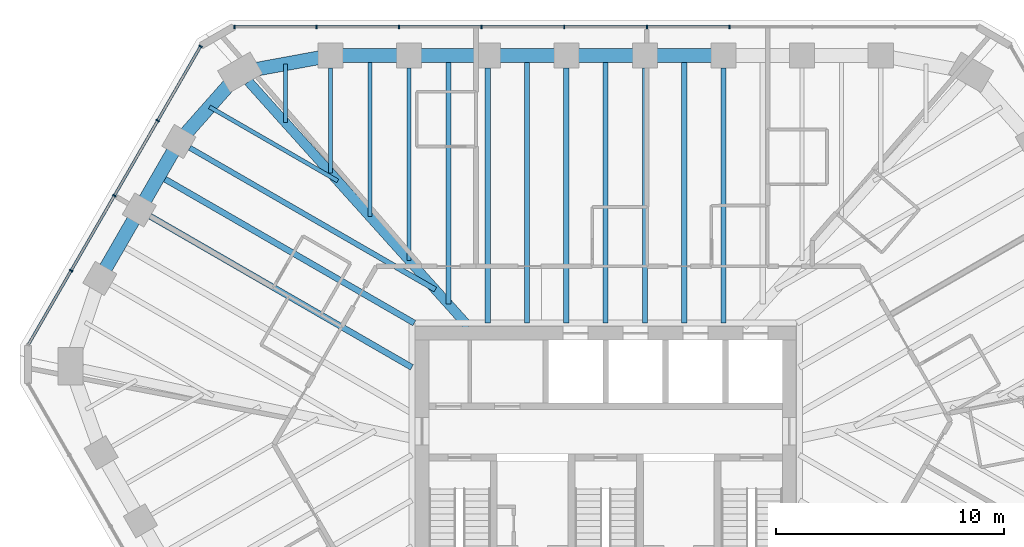
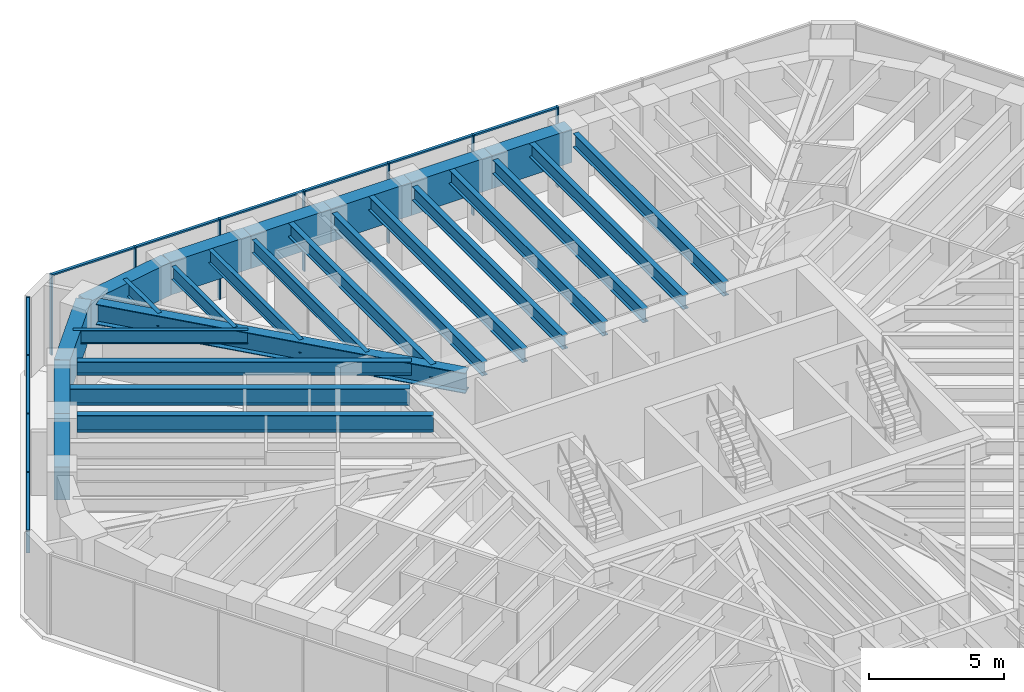
# One storey, part 6 of 14: 26 beams, 21 members, 2 elements without a shape of their own.
"""IFC4 building model written with IfcOpenShell, lengths in metres."""

import ifcopenshell
import ifcopenshell.guid

model = None  # the IFC model being written
_history = None  # IfcOwnerHistory: only IFC2X3 demands one
_inside = {}  # id of a spatial element -> (the spatial element, [elements in it])
_under = {}  # id of a project, library or spatial element -> (it, [spatial elements below it])
_declared = {}  # id of a project -> (the project, [libraries it declares])
_typed = {}  # id of a type object -> (the type object, [elements of that type])
_made_of = {}  # id of a material, layer set ... -> (it, [elements and type objects made of it])


def new_model(schema):
    """Start an empty IFC model of exactly this schema.

    Asked for "IFC4X3", IfcOpenShell would pick the latest addendum, in which some entities
    have other attributes; the version numbers below select the first issue.
    IFC2X3 requires an IfcOwnerHistory on every rooted entity: one is made here for all.
    """
    global model, _history
    if schema == "IFC4X3":
        model = ifcopenshell.file(schema_version=(4, 3, 0, 0))
    else:
        model = ifcopenshell.file(schema=schema)
    _inside.clear()
    _under.clear()
    _declared.clear()
    _typed.clear()
    _made_of.clear()
    _history = None
    if model.schema == "IFC2X3":
        org = make("IfcOrganization", Name="unknown")
        user = make(
            "IfcPersonAndOrganization",
            ThePerson=make("IfcPerson", FamilyName="unknown"),
            TheOrganization=org,
        )
        app = make(
            "IfcApplication",
            ApplicationDeveloper=org,
            Version="unknown",
            ApplicationFullName="unknown",
            ApplicationIdentifier="unknown",
        )
        _history = make(
            "IfcOwnerHistory",
            OwningUser=user,
            OwningApplication=app,
            ChangeAction="ADDED",
            CreationDate=0,
        )
    return model


def make(cls, **values):
    """One entity of the class cls with the attributes given. An attribute that is None is left unset."""
    return model.create_entity(
        cls, **{name: value for name, value in values.items() if value is not None}
    )


def rooted(cls, **values):
    """An entity with a GlobalId (a new one), such as an element, a storey or a relation."""
    return make(cls, GlobalId=ifcopenshell.guid.new(), OwnerHistory=_history, **values)


def si_unit(unit_type, name, prefix=None):
    """IfcSIUnit, for example si_unit("LENGTHUNIT", "METRE", prefix="MILLI")."""
    return make("IfcSIUnit", UnitType=unit_type, Prefix=prefix, Name=name)


def assignment(units):
    """IfcUnitAssignment: the units of a project."""
    return None if units is None else make("IfcUnitAssignment", Units=units)


def point(xyz):
    """IfcCartesianPoint."""
    return None if xyz is None else make("IfcCartesianPoint", Coordinates=xyz)


def direction(xyz):
    """IfcDirection."""
    return None if xyz is None else make("IfcDirection", DirectionRatios=xyz)


def frame(location, z_axis=None, x_axis=None):
    """IfcAxis2Placement3D, a coordinate frame: its origin and axes. An axis left out is left unset."""
    return make(
        "IfcAxis2Placement3D",
        Location=point(location),
        Axis=direction(z_axis),
        RefDirection=direction(x_axis),
    )


def frame_2d(location, x_axis=None):
    """IfcAxis2Placement2D, a coordinate frame in the plane: its origin and x axis."""
    return make(
        "IfcAxis2Placement2D", Location=point(location), RefDirection=direction(x_axis)
    )


def origin():
    """The frame at (0, 0, 0) with its axes left unset."""
    return frame((0.0, 0.0, 0.0))


def origin_2d():
    """The frame at (0, 0) in the plane with its x axis left unset."""
    return frame_2d((0.0, 0.0))


def place(relative_to, where):
    """IfcLocalPlacement: puts the frame where relative to a parent placement (None: the world)."""
    return make(
        "IfcLocalPlacement", PlacementRelTo=relative_to, RelativePlacement=where
    )


def context(
    kind, dimensions, precision=None, world=None, true_north=None, identifier=None
):
    """IfcGeometricRepresentationContext, for example the 3D "Model" context."""
    return make(
        "IfcGeometricRepresentationContext",
        ContextIdentifier=identifier,
        ContextType=kind,
        CoordinateSpaceDimension=dimensions,
        Precision=precision,
        WorldCoordinateSystem=world,
        TrueNorth=true_north,
    )


def subcontext(parent, identifier, kind, view, scale=None):
    """IfcGeometricRepresentationSubContext, for example "Body" below "Model"."""
    return make(
        "IfcGeometricRepresentationSubContext",
        ContextIdentifier=identifier,
        ContextType=kind,
        ParentContext=parent,
        TargetScale=scale,
        TargetView=view,
    )


def project(units=None, contexts=None):
    """IfcProject with its units and contexts."""
    return rooted(
        "IfcProject",
        Name="project",
        RepresentationContexts=contexts,
        UnitsInContext=assignment(units),
    )


def spatial(cls, under=None, at=None, **own):
    """A site, building, storey or space (cls), placed at a placement, below another one or the project."""
    s = rooted(cls, ObjectPlacement=at, **own)
    if under is not None:
        _under.setdefault(under.id(), (under, []))[1].append(s)
    return s


def profile(cls, at=None, kind="AREA", **sizes):
    """A parametric profile (cls). Its sizes go by their IFC names, for example OverallWidth=200.0."""
    return make(cls, ProfileType=kind, Position=at, **sizes)


def rectangle(**sizes):
    """IfcRectangleProfileDef."""
    return profile("IfcRectangleProfileDef", **sizes)


def i_section(**sizes):
    """IfcIShapeProfileDef."""
    return profile("IfcIShapeProfileDef", **sizes)


def extrude(swept, where, along, depth):
    """IfcExtrudedAreaSolid: the profile swept, set in the frame where, extruded along a direction by depth."""
    return make(
        "IfcExtrudedAreaSolid",
        SweptArea=swept,
        Position=where,
        ExtrudedDirection=direction(along),
        Depth=depth,
    )


def shape(context_of_items, identifier, shape_type, items):
    """IfcShapeRepresentation: the items that make up one representation, for example the "Body"."""
    return make(
        "IfcShapeRepresentation",
        ContextOfItems=context_of_items,
        RepresentationIdentifier=identifier,
        RepresentationType=shape_type,
        Items=items,
    )


def material(Name=None, Category=None):
    """IfcMaterial."""
    return make("IfcMaterial", Name=Name, Category=Category)


def material_profile(
    of_material, cross_section, Name=None, Category=None, Priority=None
):
    """IfcMaterialProfile: a cross section and its material."""
    return make(
        "IfcMaterialProfile",
        Name=Name,
        Material=of_material,
        Profile=cross_section,
        Priority=Priority,
        Category=Category,
    )


def profile_set(profiles, Name=None, composite=None):
    """IfcMaterialProfileSet."""
    return make(
        "IfcMaterialProfileSet",
        Name=Name,
        MaterialProfiles=profiles,
        CompositeProfile=composite,
    )


def made_of(thing, what):
    """Note that an element or type object is made of a material, layer set ...; save() writes the relation."""
    if what is not None:
        _made_of.setdefault(what.id(), (what, []))[1].append(thing)
    return thing


def type_object(cls, material=None, **own):
    """A type object (cls), such as IfcWallType, which elements share."""
    return made_of(rooted(cls, **own), material)


def element(
    cls,
    number,
    at=None,
    inside=None,
    cuts=None,
    type_object=None,
    material=None,
    context=None,
    identifier="Body",
    shape_type=None,
    held_by="IfcProductDefinitionShape",
    body=None,
    shapes=None,
    **own,
):
    """One element of the class cls, such as IfcWall. Its Tag is "e" and its number.

    at: its placement. inside: the storey or other place that contains it. cuts: it is an
    opening in that element (IfcRelVoidsElement). A single representation is given by context,
    identifier, shape_type and body (its items); several are given by shapes. held_by: the class
    of the entity that holds the representations. save() writes the other relations.
    """
    e = rooted(cls, Tag="e%d" % number, ObjectPlacement=at, **own)
    if body is not None:
        shapes = [shape(context, identifier, shape_type, body)]
    if shapes is not None:
        e.Representation = make(held_by, Representations=shapes)
    if inside is not None:
        _inside.setdefault(inside.id(), (inside, []))[1].append(e)
    if cuts is not None:
        rooted(
            "IfcRelVoidsElement", RelatingBuildingElement=cuts, RelatedOpeningElement=e
        )
    if type_object is not None:
        _typed.setdefault(type_object.id(), (type_object, []))[1].append(e)
    return made_of(e, material)


def aggregate(whole, parts):
    """IfcRelAggregates: a whole, such as a stair, and the parts it consists of."""
    return rooted("IfcRelAggregates", RelatingObject=whole, RelatedObjects=parts)


def save(model, path):
    """Write the relations noted so far, then the file.

    IfcRelAggregates (storeys below a building ...), IfcRelContainedInSpatialStructure (elements
    in a storey), IfcRelDefinesByType, IfcRelAssociatesMaterial and IfcRelDeclares: one each for
    every whole, place, type object, material and project.
    """
    for whole, parts in _under.values():
        aggregate(whole, parts)
    for where, things in _inside.values():
        rooted(
            "IfcRelContainedInSpatialStructure",
            RelatedElements=things,
            RelatingStructure=where,
        )
    for kind, things in _typed.values():
        rooted("IfcRelDefinesByType", RelatedObjects=things, RelatingType=kind)
    for what, things in _made_of.values():
        rooted("IfcRelAssociatesMaterial", RelatedObjects=things, RelatingMaterial=what)
    for by, libraries in _declared.values():
        rooted("IfcRelDeclares", RelatingContext=by, RelatedDefinitions=libraries)
    model.write(path)


model = new_model("IFC4")

# Units and contexts
model_context = context("Model", 3, precision=1e-05, world=origin(), true_north=direction((0.0, 1.0)))
body_context = subcontext(model_context, "Body", "Model", "MODEL_VIEW")
ifc_project = project(units=[si_unit("LENGTHUNIT", "METRE"), si_unit("AREAUNIT", "SQUARE_METRE"), si_unit("VOLUMEUNIT", "CUBIC_METRE"), si_unit("PLANEANGLEUNIT", "RADIAN"), si_unit("MASSUNIT", "GRAM", prefix="KILO")], contexts=[model_context])

# Site, building, storey
site_placement = place(None, origin())
site = spatial("IfcSite", under=ifc_project, at=site_placement, CompositionType="ELEMENT")
building_placement = place(site_placement, origin())
building = spatial("IfcBuilding", under=site, at=building_placement, Name="Sandreach Pilgrim Tower", CompositionType="ELEMENT")
storey_placement = place(building_placement, frame((0.0, 0.0, 272.199951171875)))
storey = spatial("IfcBuildingStorey", under=building, at=storey_placement, Name="L68", CompositionType="ELEMENT", Elevation=272.199951171875)

# Curtain wall, members
ifc_material_1 = material(Name="Aluminium framed curtain wall", Category="aluminium")
curtain_wall_type = type_object("IfcCurtainWallType", Name="Suite tower curtain wall", PredefinedType="NOTDEFINED", material=ifc_material_1)
curtain_wall_1_placement = place(storey_placement, origin())
curtain_wall_1 = element("IfcCurtainWall", 1, at=curtain_wall_1_placement, inside=storey, type_object=curtain_wall_type, Name="CW-4 L68 N", PredefinedType="NOTDEFINED")
ifc_material_2 = material(Name="Aluminium extrusion", Category="aluminium")
ifc_material_profile_1 = material_profile(ifc_material_2, rectangle(XDim=0.06005859375, YDim=0.159912109375, at=origin_2d()), Name="CW-4M 60X160")
ifc_profile_set_1 = profile_set([ifc_material_profile_1], Name="Aluminium extrusion")
member_type_1 = type_object("IfcMemberType", Name="CW-4 mullion", PredefinedType="MULLION", material=ifc_profile_set_1)
member_1_placement = place(storey_placement, frame((-16.268310546875, 19.826416015625, 0.0), z_axis=(0.0, 0.0, 1.0), x_axis=(1.0, 0.0, 0.0)))
member_1 = element("IfcMember", 2, at=member_1_placement, type_object=member_type_1, Name="CW-4 mullion 1", PredefinedType="MULLION", context=body_context, shape_type="SweptSolid", body=[
    extrude(rectangle(XDim=0.06005859375, YDim=0.159912109375, at=origin_2d()), origin(), (0.0, 0.0, 1.0), 3.64013671875),
])
member_2_placement = place(storey_placement, frame((-12.676513671875, 19.826416015625, 0.0), z_axis=(0.0, 0.0, 1.0), x_axis=(1.0, 0.0, 0.0)))
member_2 = element("IfcMember", 3, at=member_2_placement, type_object=member_type_1, Name="CW-4 mullion 2", PredefinedType="MULLION", context=body_context, shape_type="SweptSolid", body=[
    extrude(rectangle(XDim=0.06005859375, YDim=0.159912109375, at=origin_2d()), origin(), (0.0, 0.0, 1.0), 3.64013671875),
])
member_3_placement = place(storey_placement, frame((-9.0546875, 19.826416015625, 0.0), z_axis=(0.0, 0.0, 1.0), x_axis=(1.0, 0.0, 0.0)))
member_3 = element("IfcMember", 4, at=member_3_placement, type_object=member_type_1, Name="CW-4 mullion 3", PredefinedType="MULLION", context=body_context, shape_type="SweptSolid", body=[
    extrude(rectangle(XDim=0.06005859375, YDim=0.159912109375, at=origin_2d()), origin(), (0.0, 0.0, 1.0), 3.64013671875),
])
member_4_placement = place(storey_placement, frame((-5.432861328125, 19.826416015625, 0.0), z_axis=(0.0, 0.0, 1.0), x_axis=(1.0, 0.0, 0.0)))
member_4 = element("IfcMember", 5, at=member_4_placement, type_object=member_type_1, Name="CW-4 mullion 4", PredefinedType="MULLION", context=body_context, shape_type="SweptSolid", body=[
    extrude(rectangle(XDim=0.06005859375, YDim=0.159912109375, at=origin_2d()), origin(), (0.0, 0.0, 1.0), 3.64013671875),
])
member_5_placement = place(storey_placement, frame((-1.81103515625, 19.826416015625, 0.0), z_axis=(0.0, 0.0, 1.0), x_axis=(1.0, 0.0, 0.0)))
member_5 = element("IfcMember", 6, at=member_5_placement, type_object=member_type_1, Name="CW-4 mullion 5", PredefinedType="MULLION", context=body_context, shape_type="SweptSolid", body=[
    extrude(rectangle(XDim=0.06005859375, YDim=0.159912109375, at=origin_2d()), origin(), (0.0, 0.0, 1.0), 3.64013671875),
])
member_6_placement = place(storey_placement, frame((1.81103515625, 19.826416015625, 0.0), z_axis=(0.0, 0.0, 1.0), x_axis=(1.0, 0.0, 0.0)))
member_6 = element("IfcMember", 7, at=member_6_placement, type_object=member_type_1, Name="CW-4 mullion 6", PredefinedType="MULLION", context=body_context, shape_type="SweptSolid", body=[
    extrude(rectangle(XDim=0.06005859375, YDim=0.159912109375, at=origin_2d()), origin(), (0.0, 0.0, 1.0), 3.64013671875),
])
member_7_placement = place(storey_placement, frame((5.432861328125, 19.826416015625, 0.0), z_axis=(0.0, 0.0, 1.0), x_axis=(1.0, 0.0, 0.0)))
member_7 = element("IfcMember", 8, at=member_7_placement, type_object=member_type_1, Name="CW-4 mullion 7", PredefinedType="MULLION", context=body_context, shape_type="SweptSolid", body=[
    extrude(rectangle(XDim=0.06005859375, YDim=0.159912109375, at=origin_2d()), origin(), (0.0, 0.0, 1.0), 3.64013671875),
])

curtain_wall_2_placement = place(storey_placement, origin())
curtain_wall_2 = element("IfcCurtainWall", 9, at=curtain_wall_2_placement, inside=storey, type_object=curtain_wall_type, Name="CW-4 L68 NW", PredefinedType="NOTDEFINED")
member_8_placement = place(storey_placement, frame((-23.423583984375, 9.145263671875, 0.0), z_axis=(0.0, 0.0, 1.0), x_axis=(0.5, 0.866025403784, 0.0)))
member_8 = element("IfcMember", 10, at=member_8_placement, type_object=member_type_1, Name="CW-4 mullion 2", PredefinedType="MULLION", context=body_context, shape_type="SweptSolid", body=[
    extrude(rectangle(XDim=0.06005859375, YDim=0.159912109375, at=origin_2d()), origin(), (0.0, 0.0, 1.0), 3.64013671875),
])
member_9_placement = place(storey_placement, frame((-21.527587890625, 12.428955078125, 0.0), z_axis=(0.0, 0.0, 1.0), x_axis=(0.5, 0.866025403784, 0.0)))
member_9 = element("IfcMember", 11, at=member_9_placement, type_object=member_type_1, Name="CW-4 mullion 3", PredefinedType="MULLION", context=body_context, shape_type="SweptSolid", body=[
    extrude(rectangle(XDim=0.06005859375, YDim=0.159912109375, at=origin_2d()), origin(), (0.0, 0.0, 1.0), 3.64013671875),
])
member_10_placement = place(storey_placement, frame((-19.6318359375, 15.712646484375, 0.0), z_axis=(0.0, 0.0, 1.0), x_axis=(0.5, 0.866025403784, 0.0)))
member_10 = element("IfcMember", 12, at=member_10_placement, type_object=member_type_1, Name="CW-4 mullion 4", PredefinedType="MULLION", context=body_context, shape_type="SweptSolid", body=[
    extrude(rectangle(XDim=0.06005859375, YDim=0.159912109375, at=origin_2d()), origin(), (0.0, 0.0, 1.0), 3.64013671875),
])
member_11_placement = place(storey_placement, frame((-17.7509765625, 18.970458984375, 0.0), z_axis=(0.0, 0.0, 1.0), x_axis=(0.5, 0.866025403784, 0.0)))
member_11 = element("IfcMember", 13, at=member_11_placement, type_object=member_type_1, Name="CW-4 mullion 5", PredefinedType="MULLION", context=body_context, shape_type="SweptSolid", body=[
    extrude(rectangle(XDim=0.06005859375, YDim=0.159912109375, at=origin_2d()), origin(), (0.0, 0.0, 1.0), 3.64013671875),
])

# Member
ifc_material_3 = material(Name="Aluminium extrusion", Category="aluminium")
ifc_material_profile_2 = material_profile(ifc_material_3, rectangle(XDim=0.1201171875, YDim=0.070068359375, at=origin_2d()), Name="CW-4T 120X70")
ifc_profile_set_2 = profile_set([ifc_material_profile_2], Name="Aluminium extrusion")
member_type_2 = type_object("IfcMemberType", Name="CW-4 transom", PredefinedType="USERDEFINED", material=ifc_profile_set_2)
member_12_placement = place(storey_placement, frame((-16.23828125, 19.826416015625, 3.60498046875), z_axis=(1.0, 0.0, 0.0), x_axis=(0.0, 1.0, 0.0)))
member_12 = element("IfcMember", 14, at=member_12_placement, type_object=member_type_2, Name="CW-4 head transom 1", ObjectType="TRANSOM", PredefinedType="USERDEFINED", context=body_context, shape_type="SweptSolid", body=[
    extrude(rectangle(XDim=0.1201171875, YDim=0.070068359375, at=origin_2d()), origin(), (0.0, 0.0, 1.0), 3.53173828125),
])

member_13_placement = place(storey_placement, frame((-12.646484375, 19.826416015625, 3.60498046875), z_axis=(1.0, 0.0, 0.0), x_axis=(0.0, 1.0, 0.0)))
member_13 = element("IfcMember", 15, at=member_13_placement, type_object=member_type_2, Name="CW-4 head transom 2", ObjectType="TRANSOM", PredefinedType="USERDEFINED", context=body_context, shape_type="SweptSolid", body=[
    extrude(rectangle(XDim=0.1201171875, YDim=0.070068359375, at=origin_2d()), origin(), (0.0, 0.0, 1.0), 3.561767578125),
])

member_14_placement = place(storey_placement, frame((-9.024658203125, 19.826416015625, 3.60498046875), z_axis=(1.0, 0.0, 0.0), x_axis=(0.0, 1.0, 0.0)))
member_14 = element("IfcMember", 16, at=member_14_placement, type_object=member_type_2, Name="CW-4 head transom 3", ObjectType="TRANSOM", PredefinedType="USERDEFINED", context=body_context, shape_type="SweptSolid", body=[
    extrude(rectangle(XDim=0.1201171875, YDim=0.070068359375, at=origin_2d()), origin(), (0.0, 0.0, 1.0), 3.561767578125),
])

member_15_placement = place(storey_placement, frame((-5.40283203125, 19.826416015625, 3.60498046875), z_axis=(1.0, 0.0, 0.0), x_axis=(0.0, 1.0, 0.0)))
member_15 = element("IfcMember", 17, at=member_15_placement, type_object=member_type_2, Name="CW-4 head transom 4", ObjectType="TRANSOM", PredefinedType="USERDEFINED", context=body_context, shape_type="SweptSolid", body=[
    extrude(rectangle(XDim=0.1201171875, YDim=0.070068359375, at=origin_2d()), origin(), (0.0, 0.0, 1.0), 3.56201171875),
])

member_16_placement = place(storey_placement, frame((-1.781005859375, 19.826416015625, 3.60498046875), z_axis=(1.0, 0.0, 0.0), x_axis=(0.0, 1.0, 0.0)))
member_16 = element("IfcMember", 18, at=member_16_placement, type_object=member_type_2, Name="CW-4 head transom 5", ObjectType="TRANSOM", PredefinedType="USERDEFINED", context=body_context, shape_type="SweptSolid", body=[
    extrude(rectangle(XDim=0.1201171875, YDim=0.070068359375, at=origin_2d()), origin(), (0.0, 0.0, 1.0), 3.56201171875),
])

member_17_placement = place(storey_placement, frame((1.8408203125, 19.826416015625, 3.60498046875), z_axis=(1.0, 0.0, 0.0), x_axis=(0.0, 1.0, 0.0)))
member_17 = element("IfcMember", 19, at=member_17_placement, type_object=member_type_2, Name="CW-4 head transom 6", ObjectType="TRANSOM", PredefinedType="USERDEFINED", context=body_context, shape_type="SweptSolid", body=[
    extrude(rectangle(XDim=0.1201171875, YDim=0.070068359375, at=origin_2d()), origin(), (0.0, 0.0, 1.0), 3.56201171875),
])

aggregate(curtain_wall_1, [member_1, member_2, member_3, member_4, member_5, member_6, member_7, member_12, member_13, member_14, member_15, member_16, member_17])

member_18_placement = place(storey_placement, frame((-25.289306640625, 5.91357421875, 3.60498046875), z_axis=(0.499990780478, 0.866030726613, 0.0), x_axis=(-0.866030726613, 0.499990780478, 0.0)))
member_18 = element("IfcMember", 20, at=member_18_placement, type_object=member_type_2, Name="CW-4 head transom 1", ObjectType="TRANSOM", PredefinedType="USERDEFINED", context=body_context, shape_type="SweptSolid", body=[
    extrude(rectangle(XDim=0.1201171875, YDim=0.070068359375, at=origin_2d()), origin(), (0.0, 0.0, 1.0), 3.70166015625),
])

member_19_placement = place(storey_placement, frame((-23.408447265625, 9.17138671875, 3.60498046875), z_axis=(0.499981083104, 0.866036325184, 0.0), x_axis=(-0.866036325184, 0.499981083104, 0.0)))
member_19 = element("IfcMember", 21, at=member_19_placement, type_object=member_type_2, Name="CW-4 head transom 2", ObjectType="TRANSOM", PredefinedType="USERDEFINED", context=body_context, shape_type="SweptSolid", body=[
    extrude(rectangle(XDim=0.1201171875, YDim=0.070068359375, at=origin_2d()), origin(), (0.0, 0.0, 1.0), 3.731689453125),
])

member_20_placement = place(storey_placement, frame((-21.5126953125, 12.455078125, 3.60498046875), z_axis=(0.500030151002, 0.866007995396, 0.0), x_axis=(-0.866007995396, 0.500030151002, 0.0)))
member_20 = element("IfcMember", 22, at=member_20_placement, type_object=member_type_2, Name="CW-4 head transom 3", ObjectType="TRANSOM", PredefinedType="USERDEFINED", context=body_context, shape_type="SweptSolid", body=[
    extrude(rectangle(XDim=0.1201171875, YDim=0.070068359375, at=origin_2d()), origin(), (0.0, 0.0, 1.0), 3.731689453125),
])

member_21_placement = place(storey_placement, frame((-19.616943359375, 15.73876953125, 3.60498046875), z_axis=(0.499990780478, 0.866030726613, 0.0), x_axis=(-0.866030726613, 0.499990780478, 0.0)))
member_21 = element("IfcMember", 23, at=member_21_placement, type_object=member_type_2, Name="CW-4 head transom 4", ObjectType="TRANSOM", PredefinedType="USERDEFINED", context=body_context, shape_type="SweptSolid", body=[
    extrude(rectangle(XDim=0.1201171875, YDim=0.070068359375, at=origin_2d()), origin(), (0.0, 0.0, 1.0), 3.70166015625),
])

aggregate(curtain_wall_2, [member_8, member_9, member_10, member_11, member_18, member_19, member_20, member_21])

# Beams
ifc_material_4 = material(Name="Steel ASTM A992 Grade 50", Category="steel")
ifc_material_profile_3 = material_profile(ifc_material_4, i_section(OverallWidth=0.419189453125, OverallDepth=0.927001953125, WebThickness=0.019287109375, FlangeThickness=0.031982421875, at=origin_2d()), Name="W36X231")
ifc_profile_set_3 = profile_set([ifc_material_profile_3], Name="Steel ASTM A992 Grade 50")
beam_type_1 = type_object("IfcBeamType", Name="Corner girder W36X231", PredefinedType="BEAM", material=ifc_profile_set_3)
beam_1_placement = place(storey_placement, frame((-15.649169921875, 17.427978515625, 3.176513671875), z_axis=(0.668114851597, -0.74405815974, 0.0), x_axis=(0.74405815974, 0.668114851597, 0.0)))
element("IfcBeam", 24, at=beam_1_placement, inside=storey, type_object=beam_type_1, Name="BM L68 CG39", PredefinedType="BEAM", context=body_context, shape_type="SweptSolid", body=[
    extrude(i_section(OverallWidth=0.419189453125, OverallDepth=0.927001953125, WebThickness=0.019287109375, FlangeThickness=0.031982421875, at=origin_2d()), origin(), (0.0, 0.0, 1.0), 14.418212890625),
])
ifc_material_5 = material(Name="Steel ASTM A992 Grade 50", Category="steel")
ifc_material_profile_4 = material_profile(ifc_material_5, i_section(OverallWidth=0.1787109375, OverallDepth=0.60205078125, WebThickness=0.010986328125, FlangeThickness=0.014892578125, at=origin_2d()), Name="W24X62")
ifc_profile_set_4 = profile_set([ifc_material_profile_4], Name="Steel ASTM A992 Grade 50")
beam_type_2 = type_object("IfcBeamType", Name="Floor beam W24X62", PredefinedType="BEAM", material=ifc_profile_set_4)
beam_2_placement = place(storey_placement, frame((-12.0576171875, 18.016357421875, 3.339111328125), z_axis=(0.0, -1.0, 0.0), x_axis=(1.0, 0.0, 0.0)))
element("IfcBeam", 25, at=beam_2_placement, inside=storey, type_object=beam_type_2, Name="BM L68 F01", PredefinedType="BEAM", context=body_context, shape_type="SweptSolid", body=[
    extrude(i_section(OverallWidth=0.1787109375, OverallDepth=0.60205078125, WebThickness=0.010986328125, FlangeThickness=0.014892578125, at=origin_2d()), origin(), (0.0, 0.0, 1.0), 4.58837890625),
])
beam_3_placement = place(storey_placement, frame((-8.612548828125, 18.016357421875, 3.339111328125), z_axis=(0.0, -1.0, 0.0), x_axis=(1.0, 0.0, 0.0)))
element("IfcBeam", 26, at=beam_3_placement, inside=storey, type_object=beam_type_2, Name="BM L68 F02", PredefinedType="BEAM", context=body_context, shape_type="SweptSolid", body=[
    extrude(i_section(OverallWidth=0.1787109375, OverallDepth=0.60205078125, WebThickness=0.010986328125, FlangeThickness=0.014892578125, at=origin_2d()), origin(), (0.0, 0.0, 1.0), 8.4248046875),
])
beam_4_placement = place(storey_placement, frame((-10.3349609375, 18.56640625, 3.339111328125), z_axis=(0.0, -1.0, 0.0), x_axis=(1.0, 0.0, 0.0)))
element("IfcBeam", 27, at=beam_4_placement, inside=storey, type_object=beam_type_2, Name="BM L68 FM01", PredefinedType="BEAM", context=body_context, shape_type="SweptSolid", body=[
    extrude(i_section(OverallWidth=0.1787109375, OverallDepth=0.60205078125, WebThickness=0.010986328125, FlangeThickness=0.014892578125, at=origin_2d()), origin(), (0.0, 0.0, 1.0), 7.056640625),
])
beam_5_placement = place(storey_placement, frame((-17.360107421875, 16.31884765625, 3.339111328125), z_axis=(0.866023980233, -0.500002465655, 0.0), x_axis=(0.500002465655, 0.866023980233, 0.0)))
element("IfcBeam", 28, at=beam_5_placement, inside=storey, type_object=beam_type_2, Name="BM L68 FM38", PredefinedType="BEAM", context=body_context, shape_type="SweptSolid", body=[
    extrude(i_section(OverallWidth=0.1787109375, OverallDepth=0.60205078125, WebThickness=0.010986328125, FlangeThickness=0.014892578125, at=origin_2d()), origin(), (0.0, 0.0, 1.0), 6.49072265625),
])
beam_6_placement = place(storey_placement, frame((-14.037109375, 18.201904296875, 3.339111328125), z_axis=(0.0, -1.0, 0.0), x_axis=(1.0, 0.0, 0.0)))
element("IfcBeam", 29, at=beam_6_placement, inside=storey, type_object=beam_type_2, Name="BM L68 FM39", PredefinedType="BEAM", context=body_context, shape_type="SweptSolid", body=[
    extrude(i_section(OverallWidth=0.1787109375, OverallDepth=0.60205078125, WebThickness=0.010986328125, FlangeThickness=0.014892578125, at=origin_2d()), origin(), (0.0, 0.0, 1.0), 2.5693359375),
])
ifc_material_6 = material(Name="Steel ASTM A992 Grade 50", Category="steel")
ifc_material_profile_5 = material_profile(ifc_material_6, i_section(OverallWidth=0.23046875, OverallDepth=0.6171875, WebThickness=0.01318359375, FlangeThickness=0.022216796875, at=origin_2d()), Name="W24X94")
ifc_profile_set_5 = profile_set([ifc_material_profile_5], Name="Steel ASTM A992 Grade 50")
beam_type_3 = type_object("IfcBeamType", Name="Floor beam W24X94", PredefinedType="BEAM", material=ifc_profile_set_5)
for number, where, z_axis, x_axis, name in (
    (30, (-5.16748046875, 18.016357421875, 3.33154296875), (0.0, -1.0, 0.0), (1.0, 0.0, 0.0), "BM L68 F03"),
    (31, (-1.722412109375, 18.016357421875, 3.33154296875), (0.0, -1.0, 0.0), (1.0, 0.0, 0.0), "BM L68 F04"),
    (32, (1.722412109375, 18.016357421875, 3.33154296875), (0.0, -1.0, 0.0), (1.0, 0.0, 0.0), "BM L68 F05"),
    (33, (5.16748046875, 18.016357421875, 3.33154296875), (0.0, -1.0, 0.0), (1.0, 0.0, 0.0), "BM L68 F06"),
):
    element("IfcBeam", number, at=place(storey_placement, frame(where, z_axis=z_axis, x_axis=x_axis)), inside=storey, type_object=beam_type_3, Name=name, PredefinedType="BEAM", context=body_context, shape_type="SweptSolid", body=[
        extrude(i_section(OverallWidth=0.23046875, OverallDepth=0.6171875, WebThickness=0.01318359375, FlangeThickness=0.022216796875, at=origin_2d()), origin(), (0.0, 0.0, 1.0), 11.173095703125),
    ])
beam_7_placement = place(storey_placement, frame((-18.227294921875, 14.525390625, 3.33154296875), z_axis=(0.866020427415, -0.500008619226, 0.0), x_axis=(0.500008619226, 0.866020427415, 0.0)))
element("IfcBeam", 34, at=beam_7_placement, inside=storey, type_object=beam_type_3, Name="BM L68 F38", PredefinedType="BEAM", context=body_context, shape_type="SweptSolid", body=[
    extrude(i_section(OverallWidth=0.23046875, OverallDepth=0.6171875, WebThickness=0.01318359375, FlangeThickness=0.022216796875, at=origin_2d()), origin(), (0.0, 0.0, 1.0), 12.431396484375),
])
beam_8_placement = place(storey_placement, frame((-6.89013671875, 18.56640625, 3.33154296875), z_axis=(0.0, -1.0, 0.0), x_axis=(1.0, 0.0, 0.0)))
element("IfcBeam", 35, at=beam_8_placement, inside=storey, type_object=beam_type_3, Name="BM L68 FM02", PredefinedType="BEAM", context=body_context, shape_type="SweptSolid", body=[
    extrude(i_section(OverallWidth=0.23046875, OverallDepth=0.6171875, WebThickness=0.01318359375, FlangeThickness=0.022216796875, at=origin_2d()), origin(), (0.0, 0.0, 1.0), 10.893310546875),
])
for number, where, z_axis, x_axis, name in (
    (36, (-3.445068359375, 18.56640625, 3.33154296875), (0.0, -1.0, 0.0), (1.0, 0.0, 0.0), "BM L68 FM03"),
    (37, (0.0, 18.56640625, 3.33154296875), (0.0, -1.0, 0.0), (1.0, 0.0, 0.0), "BM L68 FM04"),
    (38, (3.445068359375, 18.56640625, 3.33154296875), (0.0, -1.0, 0.0), (1.0, 0.0, 0.0), "BM L68 FM05"),
):
    element("IfcBeam", number, at=place(storey_placement, frame(where, z_axis=z_axis, x_axis=x_axis)), inside=storey, type_object=beam_type_3, Name=name, PredefinedType="BEAM", context=body_context, shape_type="SweptSolid", body=[
        extrude(i_section(OverallWidth=0.23046875, OverallDepth=0.6171875, WebThickness=0.01318359375, FlangeThickness=0.022216796875, at=origin_2d()), origin(), (0.0, 0.0, 1.0), 11.72314453125),
    ])
ifc_material_7 = material(Name="Steel ASTM A992 Grade 50", Category="steel")
ifc_material_profile_6 = material_profile(ifc_material_7, i_section(OverallWidth=0.2666015625, OverallDepth=0.761962890625, WebThickness=0.014404296875, FlangeThickness=0.021484375, at=origin_2d()), Name="W30X116")
ifc_profile_set_6 = profile_set([ifc_material_profile_6], Name="Steel ASTM A992 Grade 50")
beam_type_4 = type_object("IfcBeamType", Name="Floor beam W30X116", PredefinedType="BEAM", material=ifc_profile_set_6)
beam_9_placement = place(storey_placement, frame((-19.960205078125, 11.52392578125, 3.259033203125), z_axis=(0.86602530353, -0.500000173646, 0.0), x_axis=(0.500000173646, 0.86602530353, 0.0)))
element("IfcBeam", 39, at=beam_9_placement, inside=storey, type_object=beam_type_4, Name="BM L68 F37", PredefinedType="BEAM", context=body_context, shape_type="SweptSolid", body=[
    extrude(i_section(OverallWidth=0.2666015625, OverallDepth=0.761962890625, WebThickness=0.014404296875, FlangeThickness=0.021484375, at=origin_2d()), origin(), (0.0, 0.0, 1.0), 13.24072265625),
])
beam_10_placement = place(storey_placement, frame((-19.570068359375, 13.299560546875, 3.259033203125), z_axis=(0.866025008595, -0.500000684488, 0.0), x_axis=(0.500000684488, 0.866025008595, 0.0)))
element("IfcBeam", 40, at=beam_10_placement, inside=storey, type_object=beam_type_4, Name="BM L68 FM37", PredefinedType="BEAM", context=body_context, shape_type="SweptSolid", body=[
    extrude(i_section(OverallWidth=0.2666015625, OverallDepth=0.761962890625, WebThickness=0.014404296875, FlangeThickness=0.021484375, at=origin_2d()), origin(), (0.0, 0.0, 1.0), 12.91259765625),
])
ifc_material_8 = material(Name="Concrete 10000 psi", Category="concrete")
ifc_material_profile_7 = material_profile(ifc_material_8, rectangle(XDim=0.60009765625, YDim=1.5, at=origin_2d()), Name="RC600X1500")
ifc_profile_set_7 = profile_set([ifc_material_profile_7], Name="Concrete 10000 psi")
beam_type_5 = type_object("IfcBeamType", Name="Spandrel beam RC600X1500", PredefinedType="SPANDREL", material=ifc_profile_set_7)
for number, where, z_axis, x_axis, name in (
    (41, (-12.0576171875, 18.56640625, 2.89013671875), (1.0, 0.0, 0.0), (0.0, 1.0, 0.0), "BM L68 SP01"),
    (42, (-8.612548828125, 18.56640625, 2.89013671875), (1.0, 0.0, 0.0), (0.0, 1.0, 0.0), "BM L68 SP02"),
    (43, (-5.16748046875, 18.56640625, 2.89013671875), (1.0, 0.0, 0.0), (0.0, 1.0, 0.0), "BM L68 SP03"),
):
    element("IfcBeam", number, at=place(storey_placement, frame(where, z_axis=z_axis, x_axis=x_axis)), inside=storey, type_object=beam_type_5, Name=name, PredefinedType="SPANDREL", context=body_context, shape_type="SweptSolid", body=[
        extrude(rectangle(XDim=0.60009765625, YDim=1.5, at=origin_2d()), origin(), (0.0, 0.0, 1.0), 3.445068359375),
    ])
beam_11_placement = place(storey_placement, frame((-1.722412109375, 18.56640625, 2.89013671875), z_axis=(1.0, 0.0, 0.0), x_axis=(0.0, 1.0, 0.0)))
element("IfcBeam", 44, at=beam_11_placement, inside=storey, type_object=beam_type_5, Name="BM L68 SP04", PredefinedType="SPANDREL", context=body_context, shape_type="SweptSolid", body=[
    extrude(rectangle(XDim=0.60009765625, YDim=1.5, at=origin_2d()), origin(), (0.0, 0.0, 1.0), 3.44482421875),
])
beam_12_placement = place(storey_placement, frame((1.722412109375, 18.56640625, 2.89013671875), z_axis=(1.0, 0.0, 0.0), x_axis=(0.0, 1.0, 0.0)))
element("IfcBeam", 45, at=beam_12_placement, inside=storey, type_object=beam_type_5, Name="BM L68 SP05", PredefinedType="SPANDREL", context=body_context, shape_type="SweptSolid", body=[
    extrude(rectangle(XDim=0.60009765625, YDim=1.5, at=origin_2d()), origin(), (0.0, 0.0, 1.0), 3.445068359375),
])
for number, where, z_axis, x_axis, name in (
    (46, (-22.169189453125, 8.7978515625, 2.89013671875), (0.499980616072, 0.866036594811, 0.0), (-0.866036594811, 0.499980616072, 0.0), "BM L68 SP36"),
    (47, (-20.4365234375, 11.799072265625, 2.89013671875), (0.500033451825, 0.866006089503, 0.0), (-0.866006089503, 0.500033451825, 0.0), "BM L68 SP37"),
):
    element("IfcBeam", number, at=place(storey_placement, frame(where, z_axis=z_axis, x_axis=x_axis)), inside=storey, type_object=beam_type_5, Name=name, PredefinedType="SPANDREL", context=body_context, shape_type="SweptSolid", body=[
        extrude(rectangle(XDim=0.60009765625, YDim=1.5, at=origin_2d()), origin(), (0.0, 0.0, 1.0), 3.465576171875),
    ])
beam_13_placement = place(storey_placement, frame((-18.70361328125, 14.80029296875, 2.89013671875), z_axis=(0.662650525414, 0.748928755736, 0.0), x_axis=(-0.748928755736, 0.662650525414, 0.0)))
element("IfcBeam", 48, at=beam_13_placement, inside=storey, type_object=beam_type_5, Name="BM L68 SP38", PredefinedType="SPANDREL", context=body_context, shape_type="SweptSolid", body=[
    extrude(rectangle(XDim=0.60009765625, YDim=1.5, at=origin_2d()), origin(), (0.0, 0.0, 1.0), 4.054931640625),
])
beam_14_placement = place(storey_placement, frame((-16.0166015625, 17.837158203125, 2.89013671875), z_axis=(0.983454894629, 0.181153167875, 0.0), x_axis=(-0.181153167875, 0.983454894629, 0.0)))
element("IfcBeam", 49, at=beam_14_placement, inside=storey, type_object=beam_type_5, Name="BM L68 SP39", PredefinedType="SPANDREL", context=body_context, shape_type="SweptSolid", body=[
    extrude(rectangle(XDim=0.60009765625, YDim=1.5, at=origin_2d()), origin(), (0.0, 0.0, 1.0), 4.025634765625),
])

save(model, "model.ifc")
